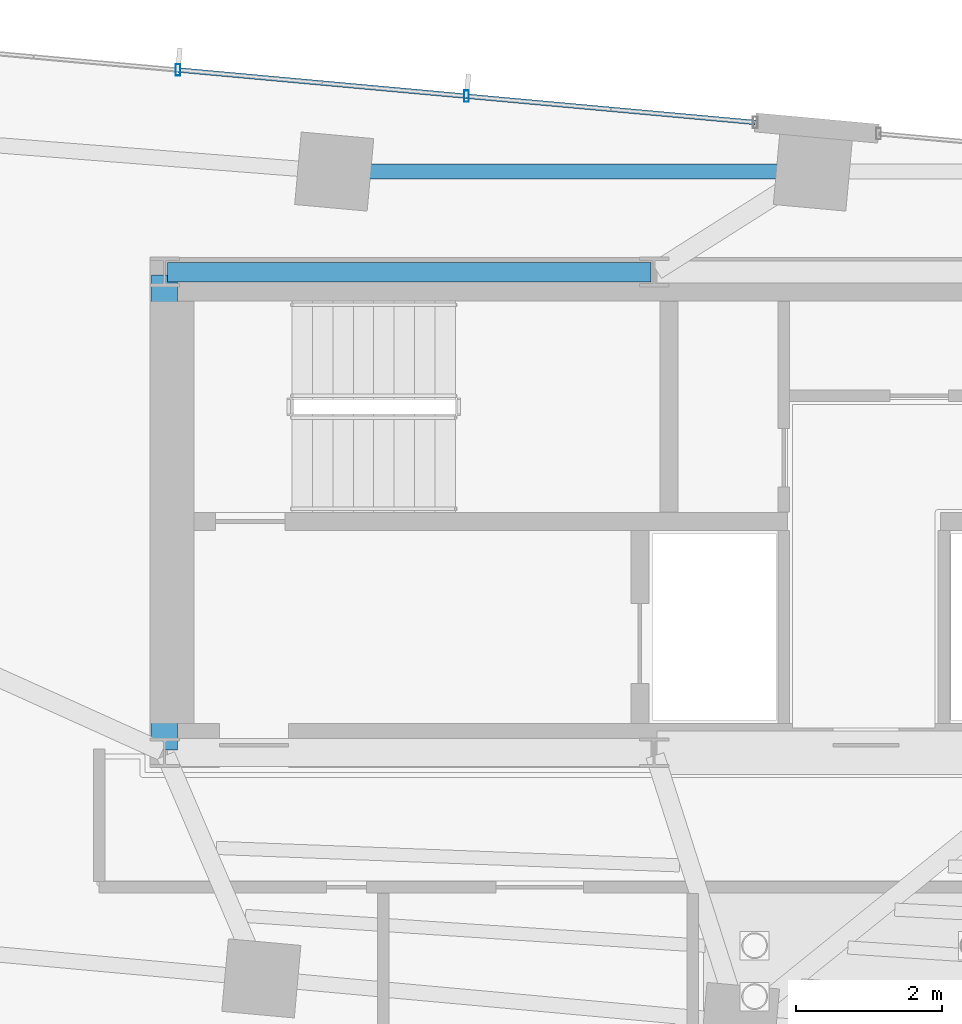
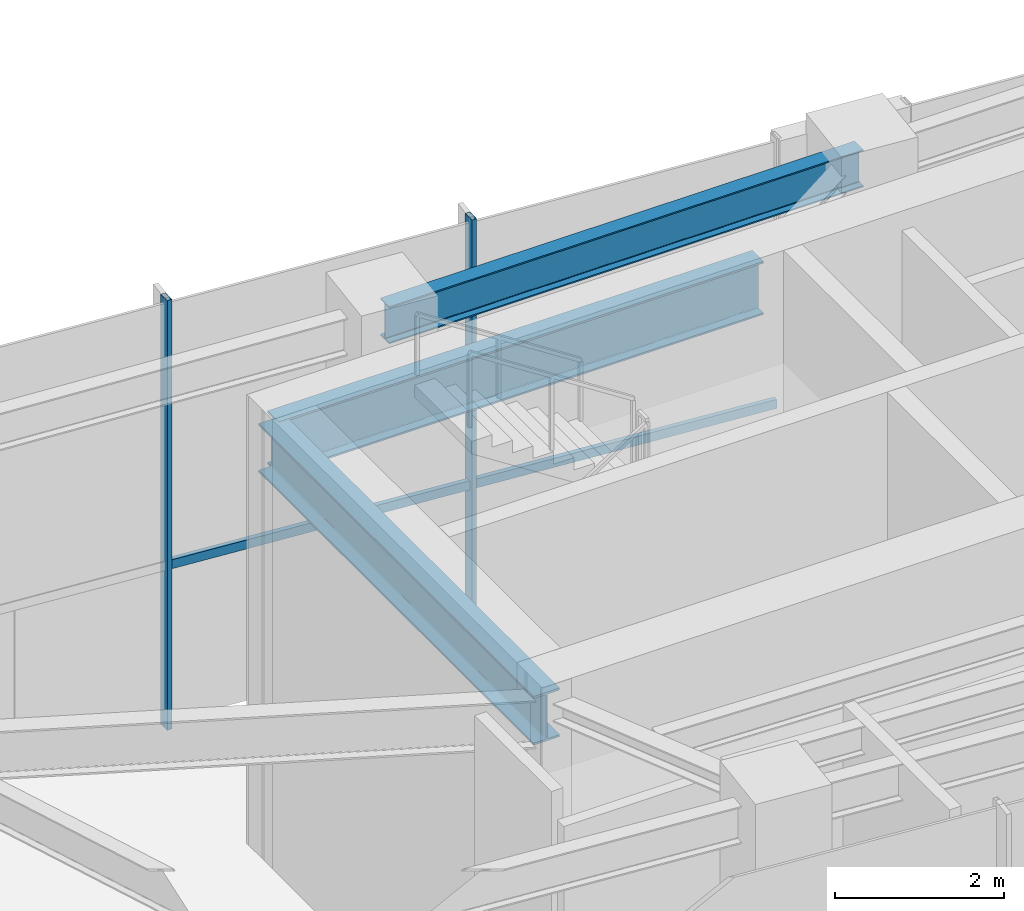
# One storey, part 5 of 14: 4 members, 3 beams, 1 element without a shape of its own.
"""IFC4 building model written with IfcOpenShell, lengths in metres."""

from ifc_helpers import new_model, si_unit, direction, frame, origin, origin_2d, place, context, subcontext, project, spatial, hollow_rectangle, i_section, extrude, source, transform, mapped, material, material_profile, profile_set, type_object, type_shapes, element, aggregate, save


model = new_model("IFC4")

# Units and contexts
model_context = context("Model", 3, precision=1e-05, world=origin(), true_north=direction((0.0, 1.0)))
body_context = subcontext(model_context, "Body", "Model", "MODEL_VIEW")
ifc_project = project(units=[si_unit("LENGTHUNIT", "METRE"), si_unit("AREAUNIT", "SQUARE_METRE"), si_unit("VOLUMEUNIT", "CUBIC_METRE"), si_unit("PLANEANGLEUNIT", "RADIAN"), si_unit("MASSUNIT", "GRAM", prefix="KILO")], contexts=[model_context])

# Site, building, storey
site_placement = place(None, origin())
site = spatial("IfcSite", under=ifc_project, at=site_placement, CompositionType="ELEMENT")
building_placement = place(site_placement, origin())
building = spatial("IfcBuilding", under=site, at=building_placement, Name="Astriad Promenade Condominiums", CompositionType="ELEMENT")
storey_placement = place(building_placement, frame((0.0, 0.0, 270.800048828125)))
storey = spatial("IfcBuildingStorey", under=building, at=storey_placement, Name="L77", CompositionType="ELEMENT", Elevation=270.800048828125)

# Beams
ifc_material_1 = material(Name="Steel ASTM A992 Grade 50", Category="steel")
ifc_material_profile_1 = material_profile(ifc_material_1, i_section(OverallWidth=0.267822265625, OverallDepth=0.76953125, WebThickness=0.015625, FlangeThickness=0.025390625, FilletRadius=0.021484375, at=origin_2d()), Name="W30X132")
ifc_profile_set_1 = profile_set([ifc_material_profile_1], Name="Steel ASTM A992 Grade 50")
beam_type_1 = type_object("IfcBeamType", Name="STEEL FLOOR GIRDER W30X132", PredefinedType="BEAM", material=ifc_profile_set_1)
shared_shape_1 = source(origin(), body_context, "Body", "SweptSolid", [
    extrude(i_section(OverallWidth=0.267822265625, OverallDepth=0.76953125, WebThickness=0.015625, FlangeThickness=0.025390625, FilletRadius=0.021484375, at=origin_2d()), origin(), (0.0, 0.0, 1.0), 6.64013671875),
])
type_shapes(beam_type_1, [shared_shape_1])
beam_1_placement = place(storey_placement, frame((26.43994140625, 24.0, 5.835205078125), z_axis=(1.0, 0.0, 0.0), x_axis=(0.0, 1.0, 0.0)))
element("IfcBeam", 1, at=beam_1_placement, inside=storey, type_object=beam_type_1, Name="Core Ring Beam CG-N1-L77", PredefinedType="BEAM", context=body_context, shape_type="MappedRepresentation", body=[
    mapped(shared_shape_1, transform((0.0, 0.0, 0.0), scale=1.0)),
])
ifc_material_profile_2 = material_profile(ifc_material_1, i_section(OverallWidth=0.35791015625, OverallDepth=0.706298828125, WebThickness=0.018310546875, FlangeThickness=0.0302734375, FilletRadius=0.020263671875, at=origin_2d()), Name="W27X178")
ifc_profile_set_2 = profile_set([ifc_material_profile_2], Name="Steel ASTM A992 Grade 50")
beam_type_2 = type_object("IfcBeamType", Name="STEEL FLOOR GIRDER W27X178", PredefinedType="BEAM", material=ifc_profile_set_2)
shared_shape_2 = source(origin(), body_context, "Body", "SweptSolid", [
    extrude(i_section(OverallWidth=0.35791015625, OverallDepth=0.706298828125, WebThickness=0.018310546875, FlangeThickness=0.0302734375, FilletRadius=0.020263671875, at=origin_2d()), origin(), (0.0, 0.0, 1.0), 6.52001953125),
])
type_shapes(beam_type_2, [shared_shape_2])
beam_2_placement = place(storey_placement, frame((26.39990234375, 17.43994140625, 5.86669921875), z_axis=(0.0, 1.0, 0.0), x_axis=(-1.0, 0.0, 0.0)))
element("IfcBeam", 2, at=beam_2_placement, inside=storey, type_object=beam_type_2, Name="Core Ring Beam CG-W1-L77", PredefinedType="BEAM", context=body_context, shape_type="MappedRepresentation", body=[
    mapped(shared_shape_2, transform((0.0, 0.0, 0.0), scale=1.0)),
])
ifc_material_profile_3 = material_profile(ifc_material_1, i_section(OverallWidth=0.210693359375, OverallDepth=0.53955078125, WebThickness=0.01171875, FlangeThickness=0.018798828125, FilletRadius=0.0166015625, at=origin_2d()), Name="W21X73")
ifc_profile_set_3 = profile_set([ifc_material_profile_3], Name="Steel ASTM A992 Grade 50")
beam_type_3 = type_object("IfcBeamType", Name="STEEL SPANDREL BEAM W21X73", PredefinedType="SPANDREL", material=ifc_profile_set_3)
shared_shape_3 = source(origin(), body_context, "Body", "SweptSolid", [
    extrude(i_section(OverallWidth=0.210693359375, OverallDepth=0.53955078125, WebThickness=0.01171875, FlangeThickness=0.018798828125, FilletRadius=0.0166015625, at=origin_2d()), origin(), (0.0, 0.0, 1.0), 6.49267578125),
])
type_shapes(beam_type_3, [shared_shape_3])
beam_3_placement = place(storey_placement, frame((35.26025390625, 25.3798828125, 5.9501953125), z_axis=(-1.0, 0.0, 0.0), x_axis=(0.0, -1.0, 0.0)))
element("IfcBeam", 3, at=beam_3_placement, inside=storey, type_object=beam_type_3, Name="Perimeter Spandrel Beam SP-N2-L77", PredefinedType="SPANDREL", context=body_context, shape_type="MappedRepresentation", body=[
    mapped(shared_shape_3, transform((0.0, 0.0, 0.0), scale=1.0)),
])

# Curtain wall, members
ifc_material_2 = material(Name="Anodised aluminium Black Dark Glass Unitised", Category="aluminium")
curtain_wall_type = type_object("IfcCurtainWallType", Name="CW-TMD-LANTERN", PredefinedType="USERDEFINED", material=ifc_material_2)
curtain_wall_placement = place(storey_placement, origin())
curtain_wall = element("IfcCurtainWall", 4, at=curtain_wall_placement, inside=storey, type_object=curtain_wall_type, Name="CW-LNT-L77-08-1", ObjectType="UNITISED_CURTAIN_WALL", PredefinedType="USERDEFINED")
ifc_material_3 = material(Name="Anodised aluminium 6063-T6 Black", Category="aluminium")
ifc_material_profile_4 = material_profile(ifc_material_3, hollow_rectangle(XDim=0.06494140625, YDim=0.1298828125, WallThickness=0.00390625, at=origin_2d()), Name="ALU-TRN-65X130")
ifc_profile_set_4 = profile_set([ifc_material_profile_4], Name="Anodised aluminium 6063-T6 Black")
member_type_1 = type_object("IfcMemberType", Name="TRN-ALU-TRN-65X130", PredefinedType="USERDEFINED", material=ifc_profile_set_4)
shared_shape_4 = source(origin(), body_context, "Body", "SweptSolid", [
    extrude(hollow_rectangle(XDim=0.06494140625, YDim=0.1298828125, WallThickness=0.00390625, at=origin_2d()), origin(), (0.0, 0.0, 1.0), 3.9794921875),
])
member_1_placement = place(storey_placement, frame((30.545166015625, 26.415283203125, 2.349853515625), z_axis=(0.995886163352, -0.09061318692, 0.0), x_axis=(0.09061318692, 0.995886163352, 0.0)))
member_1 = element("IfcMember", 5, at=member_1_placement, type_object=member_type_1, Name="CW-LNT-L77-08-1-TRN-02-0", ObjectType="TRANSOM", PredefinedType="USERDEFINED", context=body_context, shape_type="MappedRepresentation", body=[
    mapped(shared_shape_4, transform((0.0, 0.0, 0.0), scale=1.0)),
])
shared_shape_5 = source(origin(), body_context, "Body", "SweptSolid", [
    extrude(hollow_rectangle(XDim=0.06494140625, YDim=0.1298828125, WallThickness=0.00390625, at=origin_2d()), origin(), (0.0, 0.0, 1.0), 3.979248046875),
])
type_shapes(member_type_1, [shared_shape_4, shared_shape_5])
member_2_placement = place(storey_placement, frame((26.582275390625, 26.77587890625, 2.349853515625), z_axis=(0.995885659581, -0.09061872346, 0.0), x_axis=(0.09061872346, 0.995885659581, 0.0)))
member_2 = element("IfcMember", 6, at=member_2_placement, type_object=member_type_1, Name="CW-LNT-L77-08-1-TRN-01-0", ObjectType="TRANSOM", PredefinedType="USERDEFINED", context=body_context, shape_type="MappedRepresentation", body=[
    mapped(shared_shape_5, transform((0.0, 0.0, 0.0), scale=1.0)),
])
ifc_material_profile_5 = material_profile(ifc_material_3, hollow_rectangle(XDim=0.06494140625, YDim=0.159912109375, WallThickness=0.00390625, at=origin_2d()), Name="ALU-MUL-65X160")
ifc_profile_set_5 = profile_set([ifc_material_profile_5], Name="Anodised aluminium 6063-T6 Black")
member_type_2 = type_object("IfcMemberType", Name="MUL-ALU-MUL-65X160", PredefinedType="MULLION", material=ifc_profile_set_5)
shared_shape_6 = source(origin(), body_context, "Body", "SweptSolid", [
    extrude(hollow_rectangle(XDim=0.06494140625, YDim=0.159912109375, WallThickness=0.00390625, at=origin_2d()), origin(), (0.0, 0.0, 1.0), 6.219970703125),
])
type_shapes(member_type_2, [shared_shape_6])
member_3_placement = place(storey_placement, frame((26.582275390625, 26.77587890625, 0.0), z_axis=(0.0, 0.0, 1.0), x_axis=(1.0, 0.0, 0.0)))
member_3 = element("IfcMember", 7, at=member_3_placement, type_object=member_type_2, Name="CW-LNT-L77-08-1-MUL-01", PredefinedType="MULLION", context=body_context, shape_type="MappedRepresentation", body=[
    mapped(shared_shape_6, transform((0.0, 0.0, 0.0), scale=1.0)),
])
member_4_placement = place(storey_placement, frame((30.545166015625, 26.415283203125, 0.0), z_axis=(0.0, 0.0, 1.0), x_axis=(1.0, 0.0, 0.0)))
member_4 = element("IfcMember", 8, at=member_4_placement, type_object=member_type_2, Name="CW-LNT-L77-08-1-MUL-02", PredefinedType="MULLION", context=body_context, shape_type="MappedRepresentation", body=[
    mapped(shared_shape_6, transform((0.0, 0.0, 0.0), scale=1.0)),
])
aggregate(curtain_wall, [member_3, member_4, member_2, member_1])

save(model, "model.ifc")
